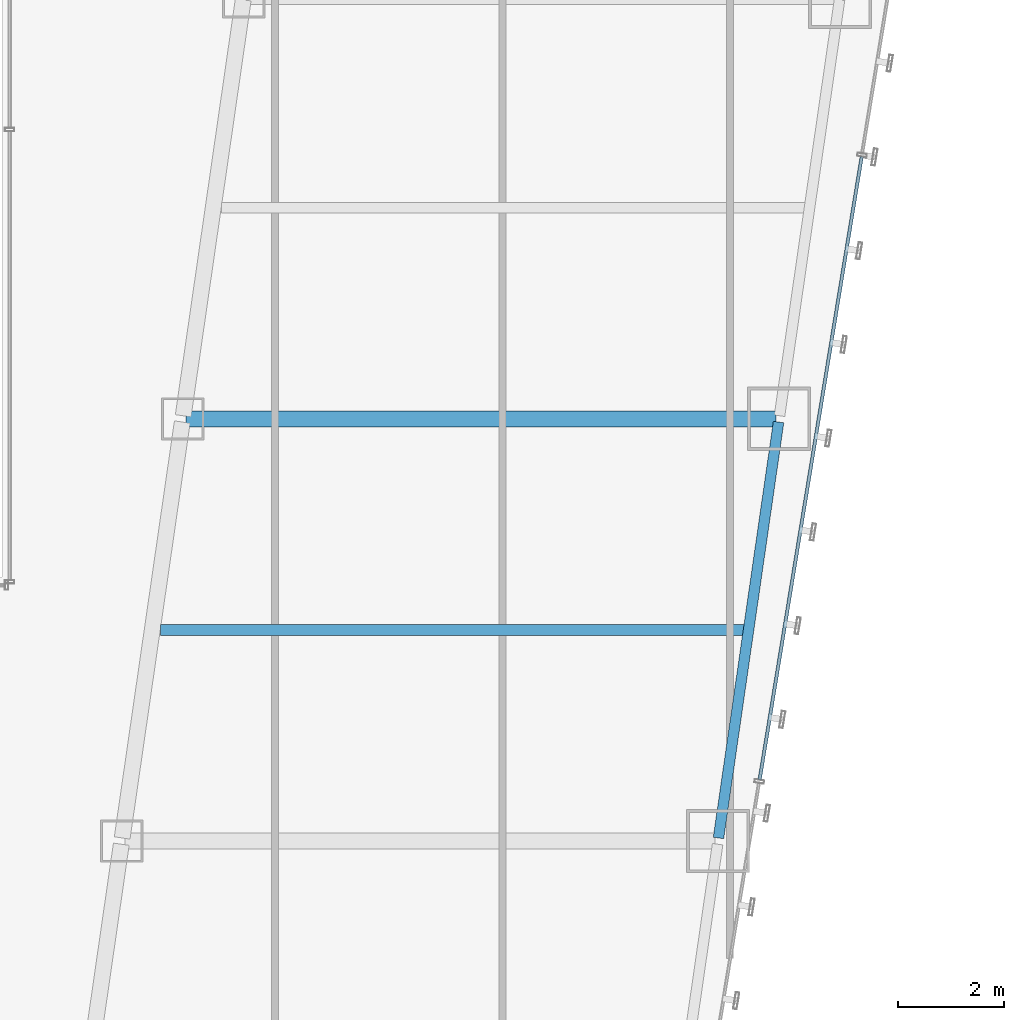
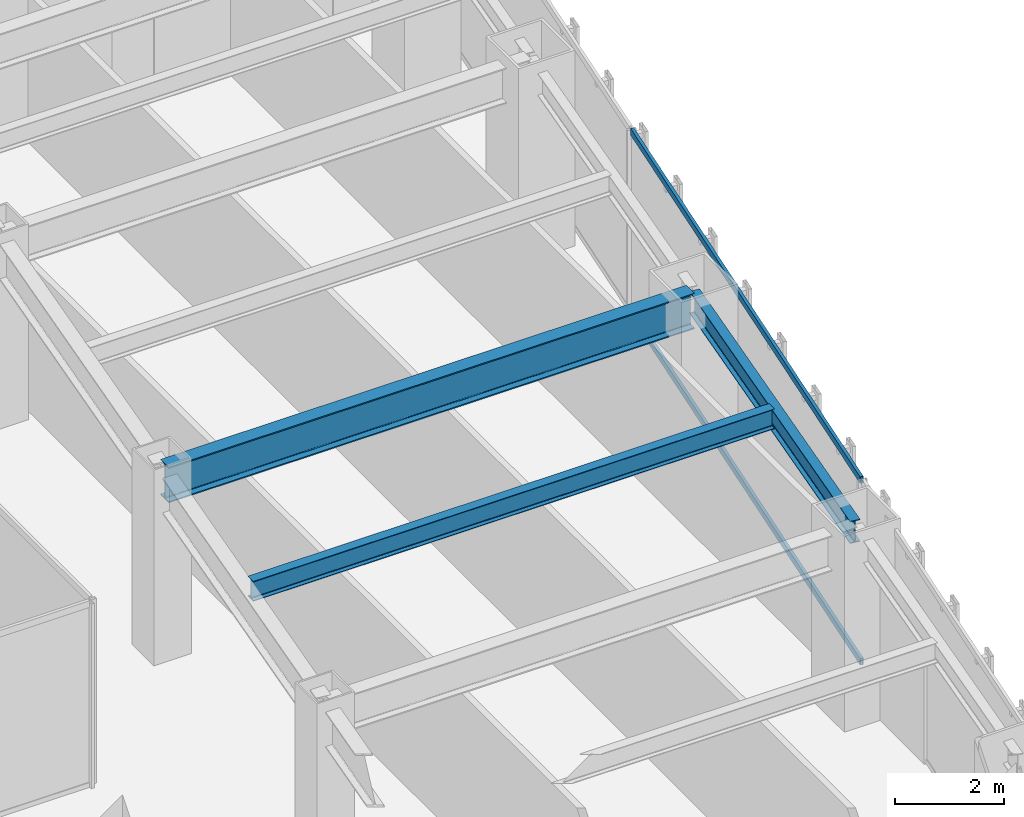
# One storey, part 19 of 47: 3 beams, 2 members, 1 element without a shape of its own.
"""IFC4 building model written with IfcOpenShell, lengths in metres."""

from ifc_helpers import new_model, si_unit, direction, frame, origin, origin_2d, place, context, subcontext, project, spatial, hollow_rectangle, i_section, extrude, material, material_profile, profile_set, type_object, element, aggregate, save


model = new_model("IFC4")

# Units and contexts
model_context = context("Model", 3, precision=1e-05, world=origin(), true_north=direction((0.0, 1.0)))
body_context = subcontext(model_context, "Body", "Model", "MODEL_VIEW")
ifc_project = project(units=[si_unit("LENGTHUNIT", "METRE"), si_unit("AREAUNIT", "SQUARE_METRE"), si_unit("VOLUMEUNIT", "CUBIC_METRE"), si_unit("PLANEANGLEUNIT", "RADIAN"), si_unit("MASSUNIT", "GRAM", prefix="KILO")], contexts=[model_context])

# Site, building, storey
site_placement = place(None, origin())
site = spatial("IfcSite", under=ifc_project, at=site_placement, CompositionType="ELEMENT")
building_placement = place(site_placement, origin())
building = spatial("IfcBuilding", under=site, at=building_placement, Name="Saevonmaru Cultural Tower", CompositionType="ELEMENT")
storey_placement = place(building_placement, frame((0.0, 0.0, 56.0)))
storey = spatial("IfcBuildingStorey", under=building, at=storey_placement, Name="L11", CompositionType="ELEMENT", Elevation=56.0)

# Beams
ifc_material_1 = material(Name="Steel SM420", Category="steel")
ifc_material_profile_1 = material_profile(ifc_material_1, i_section(OverallWidth=0.300048828125, OverallDepth=0.800048828125, WebThickness=0.013916015625, FlangeThickness=0.02587890625, FilletRadius=0.028076171875, at=origin_2d()), Name="H-800x300x14x26")
ifc_profile_set_1 = profile_set([ifc_material_profile_1], Name="Steel SM420")
beam_type_1 = type_object("IfcBeamType", Name="BM-G-H800", PredefinedType="BEAM", material=ifc_profile_set_1)
beam_1_placement = place(storey_placement, frame((39.2880859375, 24.0, 3.75), z_axis=(1.0, 0.0, 0.0), x_axis=(0.0, 1.0, 0.0)))
element("IfcBeam", 1, at=beam_1_placement, inside=storey, type_object=beam_type_1, Name="L11 East Wing Transverse Girder 4", PredefinedType="BEAM", context=body_context, shape_type="SweptSolid", body=[
    extrude(i_section(OverallWidth=0.300048828125, OverallDepth=0.800048828125, WebThickness=0.013916015625, FlangeThickness=0.02587890625, FilletRadius=0.028076171875, at=origin_2d()), origin(), (0.0, 0.0, 1.0), 11.179931640625),
])
ifc_material_2 = material(Name="Steel SM355", Category="steel")
ifc_material_profile_2 = material_profile(ifc_material_2, i_section(OverallWidth=0.199951171875, OverallDepth=0.449951171875, WebThickness=0.009033203125, FlangeThickness=0.013916015625, FilletRadius=0.01806640625, at=origin_2d()), Name="H-450x200x9x14")
ifc_profile_set_2 = profile_set([ifc_material_profile_2], Name="Steel SM355")
beam_type_2 = type_object("IfcBeamType", Name="BM-J-H450", PredefinedType="JOIST", material=ifc_profile_set_2)
beam_2_placement = place(storey_placement, frame((38.80810546875, 20.0, 3.925048828125), z_axis=(1.0, 0.0, 0.0), x_axis=(0.0, 1.0, 0.0)))
element("IfcBeam", 2, at=beam_2_placement, inside=storey, type_object=beam_type_2, Name="L11 East Wing Floor Joist 3", PredefinedType="JOIST", context=body_context, shape_type="SweptSolid", body=[
    extrude(i_section(OverallWidth=0.199951171875, OverallDepth=0.449951171875, WebThickness=0.009033203125, FlangeThickness=0.013916015625, FilletRadius=0.01806640625, at=origin_2d()), origin(), (0.0, 0.0, 1.0), 11.081787109375),
])
ifc_material_profile_3 = material_profile(ifc_material_2, i_section(OverallWidth=0.199951171875, OverallDepth=0.5, WebThickness=0.010009765625, FlangeThickness=0.01611328125, FilletRadius=0.02001953125, at=origin_2d()), Name="H-500x200x10x16")
ifc_profile_set_3 = profile_set([ifc_material_profile_3], Name="Steel SM355")
beam_type_3 = type_object("IfcBeamType", Name="BM-SP-H500", PredefinedType="SPANDREL", material=ifc_profile_set_3)
beam_3_placement = place(storey_placement, frame((49.380615234375, 16.059326171875, 3.89990234375), z_axis=(0.142992129437, 0.989723825579, 0.0), x_axis=(-0.989723825579, 0.142992129437, 0.0)))
element("IfcBeam", 3, at=beam_3_placement, inside=storey, type_object=beam_type_3, Name="L11 East Splayed Spandrel 3", PredefinedType="SPANDREL", context=body_context, shape_type="SweptSolid", body=[
    extrude(i_section(OverallWidth=0.199951171875, OverallDepth=0.5, WebThickness=0.010009765625, FlangeThickness=0.01611328125, FilletRadius=0.02001953125, at=origin_2d()), origin(), (0.0, 0.0, 1.0), 7.963134765625),
])

# Curtain wall, members
ifc_material_3 = material(Name="Satin Bronze Anodised Aluminium", Category="aluminium")
curtain_wall_type = type_object("IfcCurtainWallType", Name="CW-TYP-A", PredefinedType="NOTDEFINED", material=ifc_material_3)
curtain_wall_placement = place(storey_placement, origin())
curtain_wall = element("IfcCurtainWall", 4, at=curtain_wall_placement, inside=storey, type_object=curtain_wall_type, Name="L11 Unitised Curtain Wall E8", PredefinedType="NOTDEFINED")
ifc_material_profile_4 = material_profile(ifc_material_3, hollow_rectangle(XDim=0.06494140625, YDim=0.14990234375, WallThickness=0.00390625, at=origin_2d()), Name="ALU-TRAN-150x65x4")
ifc_profile_set_4 = profile_set([ifc_material_profile_4], Name="Satin Bronze Anodised Aluminium")
member_type = type_object("IfcMemberType", Name="TR-CW-150x65", PredefinedType="USERDEFINED", material=ifc_profile_set_4)
member_1_placement = place(storey_placement, frame((50.16015625, 17.16162109375, 0.032470703125), z_axis=(0.161701400727, 0.986839732177, 0.0), x_axis=(-0.986839732177, 0.161701400727, 0.0)))
member_1 = element("IfcMember", 5, at=member_1_placement, type_object=member_type, Name="CW-TW-L11-E8 transom 2.1", ObjectType="TRANSOM", PredefinedType="USERDEFINED", context=body_context, shape_type="SweptSolid", body=[
    extrude(hollow_rectangle(XDim=0.06494140625, YDim=0.14990234375, WallThickness=0.00390625, at=origin_2d()), origin(), (0.0, 0.0, 1.0), 11.9638671875),
])
member_2_placement = place(storey_placement, frame((50.16015625, 17.16162109375, 4.117431640625), z_axis=(0.161701400727, 0.986839732177, 0.0), x_axis=(-0.986839732177, 0.161701400727, 0.0)))
member_2 = element("IfcMember", 6, at=member_2_placement, type_object=member_type, Name="CW-TW-L11-E8 transom 2.2", ObjectType="TRANSOM", PredefinedType="USERDEFINED", context=body_context, shape_type="SweptSolid", body=[
    extrude(hollow_rectangle(XDim=0.06494140625, YDim=0.14990234375, WallThickness=0.00390625, at=origin_2d()), origin(), (0.0, 0.0, 1.0), 11.9638671875),
])
aggregate(curtain_wall, [member_1, member_2])

save(model, "model.ifc")
